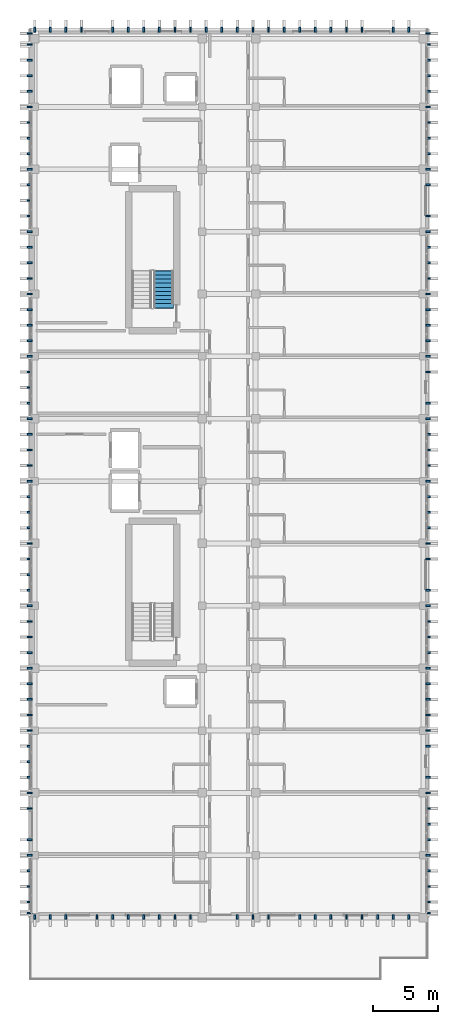
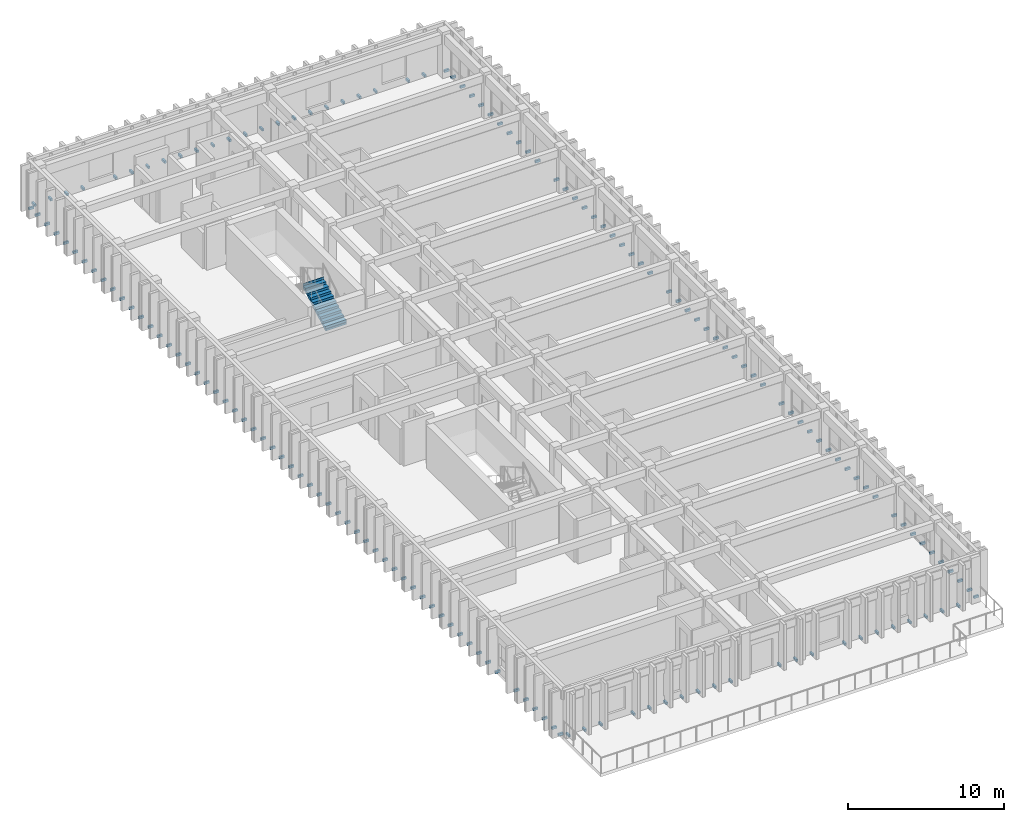
# One storey, part 44 of 49: 155 discrete accessories, 1 stair flight, 1 element without a shape of its own.
"""IFC4 building model written with IfcOpenShell, lengths in metres."""

import ifcopenshell
import ifcopenshell.guid

model = None  # the IFC model being written
_history = None  # IfcOwnerHistory: only IFC2X3 demands one
_inside = {}  # id of a spatial element -> (the spatial element, [elements in it])
_under = {}  # id of a project, library or spatial element -> (it, [spatial elements below it])
_declared = {}  # id of a project -> (the project, [libraries it declares])
_typed = {}  # id of a type object -> (the type object, [elements of that type])
_made_of = {}  # id of a material, layer set ... -> (it, [elements and type objects made of it])


def new_model(schema):
    """Start an empty IFC model of exactly this schema.

    Asked for "IFC4X3", IfcOpenShell would pick the latest addendum, in which some entities
    have other attributes; the version numbers below select the first issue.
    IFC2X3 requires an IfcOwnerHistory on every rooted entity: one is made here for all.
    """
    global model, _history
    if schema == "IFC4X3":
        model = ifcopenshell.file(schema_version=(4, 3, 0, 0))
    else:
        model = ifcopenshell.file(schema=schema)
    _inside.clear()
    _under.clear()
    _declared.clear()
    _typed.clear()
    _made_of.clear()
    _history = None
    if model.schema == "IFC2X3":
        org = make("IfcOrganization", Name="unknown")
        user = make(
            "IfcPersonAndOrganization",
            ThePerson=make("IfcPerson", FamilyName="unknown"),
            TheOrganization=org,
        )
        app = make(
            "IfcApplication",
            ApplicationDeveloper=org,
            Version="unknown",
            ApplicationFullName="unknown",
            ApplicationIdentifier="unknown",
        )
        _history = make(
            "IfcOwnerHistory",
            OwningUser=user,
            OwningApplication=app,
            ChangeAction="ADDED",
            CreationDate=0,
        )
    return model


def make(cls, **values):
    """One entity of the class cls with the attributes given. An attribute that is None is left unset."""
    return model.create_entity(
        cls, **{name: value for name, value in values.items() if value is not None}
    )


def rooted(cls, **values):
    """An entity with a GlobalId (a new one), such as an element, a storey or a relation."""
    return make(cls, GlobalId=ifcopenshell.guid.new(), OwnerHistory=_history, **values)


def si_unit(unit_type, name, prefix=None):
    """IfcSIUnit, for example si_unit("LENGTHUNIT", "METRE", prefix="MILLI")."""
    return make("IfcSIUnit", UnitType=unit_type, Prefix=prefix, Name=name)


def assignment(units):
    """IfcUnitAssignment: the units of a project."""
    return None if units is None else make("IfcUnitAssignment", Units=units)


def point(xyz):
    """IfcCartesianPoint."""
    return None if xyz is None else make("IfcCartesianPoint", Coordinates=xyz)


def direction(xyz):
    """IfcDirection."""
    return None if xyz is None else make("IfcDirection", DirectionRatios=xyz)


def frame(location, z_axis=None, x_axis=None):
    """IfcAxis2Placement3D, a coordinate frame: its origin and axes. An axis left out is left unset."""
    return make(
        "IfcAxis2Placement3D",
        Location=point(location),
        Axis=direction(z_axis),
        RefDirection=direction(x_axis),
    )


def frame_2d(location, x_axis=None):
    """IfcAxis2Placement2D, a coordinate frame in the plane: its origin and x axis."""
    return make(
        "IfcAxis2Placement2D", Location=point(location), RefDirection=direction(x_axis)
    )


def origin():
    """The frame at (0, 0, 0) with its axes left unset."""
    return frame((0.0, 0.0, 0.0))


def origin_2d():
    """The frame at (0, 0) in the plane with its x axis left unset."""
    return frame_2d((0.0, 0.0))


def place(relative_to, where):
    """IfcLocalPlacement: puts the frame where relative to a parent placement (None: the world)."""
    return make(
        "IfcLocalPlacement", PlacementRelTo=relative_to, RelativePlacement=where
    )


def context(
    kind, dimensions, precision=None, world=None, true_north=None, identifier=None
):
    """IfcGeometricRepresentationContext, for example the 3D "Model" context."""
    return make(
        "IfcGeometricRepresentationContext",
        ContextIdentifier=identifier,
        ContextType=kind,
        CoordinateSpaceDimension=dimensions,
        Precision=precision,
        WorldCoordinateSystem=world,
        TrueNorth=true_north,
    )


def subcontext(parent, identifier, kind, view, scale=None):
    """IfcGeometricRepresentationSubContext, for example "Body" below "Model"."""
    return make(
        "IfcGeometricRepresentationSubContext",
        ContextIdentifier=identifier,
        ContextType=kind,
        ParentContext=parent,
        TargetScale=scale,
        TargetView=view,
    )


def project(units=None, contexts=None):
    """IfcProject with its units and contexts."""
    return rooted(
        "IfcProject",
        Name="project",
        RepresentationContexts=contexts,
        UnitsInContext=assignment(units),
    )


def spatial(cls, under=None, at=None, **own):
    """A site, building, storey or space (cls), placed at a placement, below another one or the project."""
    s = rooted(cls, ObjectPlacement=at, **own)
    if under is not None:
        _under.setdefault(under.id(), (under, []))[1].append(s)
    return s


def polyline(points):
    """IfcPolyline through the points."""
    return make("IfcPolyline", Points=[point(p) for p in points])


def profile(cls, at=None, kind="AREA", **sizes):
    """A parametric profile (cls). Its sizes go by their IFC names, for example OverallWidth=200.0."""
    return make(cls, ProfileType=kind, Position=at, **sizes)


def rectangle(**sizes):
    """IfcRectangleProfileDef."""
    return profile("IfcRectangleProfileDef", **sizes)


def outline(outer, holes=None, kind="AREA"):
    """IfcArbitraryClosedProfileDef: a profile drawn as a closed curve; with holes, ...WithVoids."""
    if holes is None:
        return make("IfcArbitraryClosedProfileDef", ProfileType=kind, OuterCurve=outer)
    return make(
        "IfcArbitraryProfileDefWithVoids",
        ProfileType=kind,
        OuterCurve=outer,
        InnerCurves=holes,
    )


def extrude(swept, where, along, depth):
    """IfcExtrudedAreaSolid: the profile swept, set in the frame where, extruded along a direction by depth."""
    return make(
        "IfcExtrudedAreaSolid",
        SweptArea=swept,
        Position=where,
        ExtrudedDirection=direction(along),
        Depth=depth,
    )


def shape(context_of_items, identifier, shape_type, items):
    """IfcShapeRepresentation: the items that make up one representation, for example the "Body"."""
    return make(
        "IfcShapeRepresentation",
        ContextOfItems=context_of_items,
        RepresentationIdentifier=identifier,
        RepresentationType=shape_type,
        Items=items,
    )


def material(Name=None, Category=None):
    """IfcMaterial."""
    return make("IfcMaterial", Name=Name, Category=Category)


def layer(
    of_material, thickness, ventilated=None, Name=None, Category=None, Priority=None
):
    """IfcMaterialLayer: one layer of a wall or slab, of a material (None: an air gap)."""
    return make(
        "IfcMaterialLayer",
        Material=of_material,
        LayerThickness=thickness,
        IsVentilated=ventilated,
        Name=Name,
        Category=Category,
        Priority=Priority,
    )


def layer_set(layers, Name=None):
    """IfcMaterialLayerSet."""
    return make("IfcMaterialLayerSet", MaterialLayers=layers, LayerSetName=Name)


def made_of(thing, what):
    """Note that an element or type object is made of a material, layer set ...; save() writes the relation."""
    if what is not None:
        _made_of.setdefault(what.id(), (what, []))[1].append(thing)
    return thing


def type_object(cls, material=None, **own):
    """A type object (cls), such as IfcWallType, which elements share."""
    return made_of(rooted(cls, **own), material)


def element(
    cls,
    number,
    at=None,
    inside=None,
    cuts=None,
    type_object=None,
    material=None,
    context=None,
    identifier="Body",
    shape_type=None,
    held_by="IfcProductDefinitionShape",
    body=None,
    shapes=None,
    **own,
):
    """One element of the class cls, such as IfcWall. Its Tag is "e" and its number.

    at: its placement. inside: the storey or other place that contains it. cuts: it is an
    opening in that element (IfcRelVoidsElement). A single representation is given by context,
    identifier, shape_type and body (its items); several are given by shapes. held_by: the class
    of the entity that holds the representations. save() writes the other relations.
    """
    e = rooted(cls, Tag="e%d" % number, ObjectPlacement=at, **own)
    if body is not None:
        shapes = [shape(context, identifier, shape_type, body)]
    if shapes is not None:
        e.Representation = make(held_by, Representations=shapes)
    if inside is not None:
        _inside.setdefault(inside.id(), (inside, []))[1].append(e)
    if cuts is not None:
        rooted(
            "IfcRelVoidsElement", RelatingBuildingElement=cuts, RelatedOpeningElement=e
        )
    if type_object is not None:
        _typed.setdefault(type_object.id(), (type_object, []))[1].append(e)
    return made_of(e, material)


def aggregate(whole, parts):
    """IfcRelAggregates: a whole, such as a stair, and the parts it consists of."""
    return rooted("IfcRelAggregates", RelatingObject=whole, RelatedObjects=parts)


def save(model, path):
    """Write the relations noted so far, then the file.

    IfcRelAggregates (storeys below a building ...), IfcRelContainedInSpatialStructure (elements
    in a storey), IfcRelDefinesByType, IfcRelAssociatesMaterial and IfcRelDeclares: one each for
    every whole, place, type object, material and project.
    """
    for whole, parts in _under.values():
        aggregate(whole, parts)
    for where, things in _inside.values():
        rooted(
            "IfcRelContainedInSpatialStructure",
            RelatedElements=things,
            RelatingStructure=where,
        )
    for kind, things in _typed.values():
        rooted("IfcRelDefinesByType", RelatedObjects=things, RelatingType=kind)
    for what, things in _made_of.values():
        rooted("IfcRelAssociatesMaterial", RelatedObjects=things, RelatingMaterial=what)
    for by, libraries in _declared.values():
        rooted("IfcRelDeclares", RelatingContext=by, RelatedDefinitions=libraries)
    model.write(path)


model = new_model("IFC4")

# Units and contexts
model_context = context("Model", 3, precision=1e-05, world=origin(), true_north=direction((0.0, 1.0)))
body_context = subcontext(model_context, "Body", "Model", "MODEL_VIEW")
ifc_project = project(units=[si_unit("LENGTHUNIT", "METRE"), si_unit("AREAUNIT", "SQUARE_METRE"), si_unit("VOLUMEUNIT", "CUBIC_METRE"), si_unit("PLANEANGLEUNIT", "RADIAN"), si_unit("MASSUNIT", "GRAM", prefix="KILO")], contexts=[model_context])

# Site, building, storey
site_placement = place(None, origin())
site = spatial("IfcSite", under=ifc_project, at=site_placement, CompositionType="ELEMENT")
building_placement = place(site_placement, origin())
building = spatial("IfcBuilding", under=site, at=building_placement, Name="Nakhvara Creek Congress Hotel", CompositionType="ELEMENT")
storey_placement = place(building_placement, frame((0.0, 0.0, 39.0)))
storey = spatial("IfcBuildingStorey", under=building, at=storey_placement, Name="L09", CompositionType="ELEMENT", Elevation=39.0)

# Stair, stair flight
ifc_material_1 = material(Name="Concrete C40/50", Category="concrete")
stair_type = type_object("IfcStairType", Name="ST-CORE-160", PredefinedType="HALF_TURN_STAIR", material=ifc_material_1)
stair_placement = place(storey_placement, origin())
stair = element("IfcStair", 1, at=stair_placement, inside=storey, type_object=stair_type, Name="L09 Protected Exit Stair ST02", PredefinedType="HALF_TURN_STAIR")
ifc_layer = layer(ifc_material_1, 0.18994140625)
ifc_layer_set = layer_set([ifc_layer], Name="Concrete C40/50")
stair_flight_type = type_object("IfcStairFlightType", Name="SFL-RC-160", PredefinedType="STRAIGHT", material=ifc_layer_set)
stair_flight_placement = place(storey_placement, frame((159.3798828125, 104.5400390625, 0.0), z_axis=(0.0, 0.0, 1.0), x_axis=(0.0, 1.0, 0.0)))
stair_flight = element("IfcStairFlight", 2, at=stair_flight_placement, type_object=stair_flight_type, Name="ST02 flight 1", NumberOfRisers=10, NumberOfTreads=9, PredefinedType="STRAIGHT", RiserHeight=0.18, TreadLength=0.315, context=body_context, shape_type="SweptSolid", body=[
    extrude(outline(polyline([(-0.048095703125, 0.0), (0.0, 0.0), (0.0, 0.179931640625), (0.31494140625, 0.179931640625), (0.31494140625, 0.360107421875), (0.6298828125, 0.360107421875), (0.6298828125, 0.5400390625), (0.945068359375, 0.5400390625), (0.945068359375, 0.719970703125), (1.260009765625, 0.719970703125), (1.260009765625, 0.89990234375), (1.574951171875, 0.89990234375), (1.574951171875, 1.080078125), (1.889892578125, 1.080078125), (1.889892578125, 1.260009765625), (2.205078125, 1.260009765625), (2.205078125, 1.43994140625), (2.52001953125, 1.43994140625), (2.52001953125, 1.6201171875), (2.8349609375, 1.6201171875), (2.8349609375, 1.800048828125), (2.883056640625, 1.800048828125), (2.883056640625, 1.650146484375), (2.8349609375, 1.447265625), (0.039794921875, -0.14990234375), (-0.048095703125, -0.14990234375), (-0.048095703125, 0.0)])), frame((0.0, 0.77001953125, 0.0), z_axis=(0.0, -1.0, 0.0), x_axis=(1.0, 0.0, 0.0)), (0.0, 0.0, 1.0), 1.5400390625),
])
aggregate(stair, [stair_flight])

# Discrete accessories
ifc_material_2 = material(Name="Brushed stainless steel 316L", Category="steel")
discrete_accessory_type = type_object("IfcDiscreteAccessoryType", Name="ACC-BRK-SS316", PredefinedType="BRACKET", material=ifc_material_2)
for number, where, z_axis, x_axis, name in (
    (3, (179.72998046875, 57.949951171875, -0.10986328125), (0.0, 0.0, 1.0), (0.0, 1.0, 0.0), "Stainless Fin Bracket BK01-2002"),
    (4, (149.070068359375, 57.949951171875, -0.10986328125), (0.0, 0.0, 1.0), (0.0, 1.0, 0.0), "Stainless Fin Bracket BK01-2003"),
    (5, (179.72998046875, 58.800048828125, -0.10986328125), (0.0, 0.0, 1.0), (0.0, 1.0, 0.0), "Stainless Fin Bracket BK01-2004"),
    (6, (149.070068359375, 58.800048828125, -0.10986328125), (0.0, 0.0, 1.0), (0.0, 1.0, 0.0), "Stainless Fin Bracket BK01-2005"),
    (7, (179.72998046875, 60.0, -0.10986328125), (0.0, 0.0, 1.0), (0.0, 1.0, 0.0), "Stainless Fin Bracket BK01-2006"),
    (8, (149.070068359375, 60.0, -0.10986328125), (0.0, 0.0, 1.0), (0.0, 1.0, 0.0), "Stainless Fin Bracket BK01-2007"),
    (9, (179.72998046875, 61.199951171875, -0.10986328125), (0.0, 0.0, 1.0), (0.0, 1.0, 0.0), "Stainless Fin Bracket BK01-2008"),
    (10, (149.070068359375, 61.199951171875, -0.10986328125), (0.0, 0.0, 1.0), (0.0, 1.0, 0.0), "Stainless Fin Bracket BK01-2009"),
    (11, (179.72998046875, 62.39990234375, -0.10986328125), (0.0, 0.0, 1.0), (0.0, 1.0, 0.0), "Stainless Fin Bracket BK01-2010"),
    (12, (149.070068359375, 62.39990234375, -0.10986328125), (0.0, 0.0, 1.0), (0.0, 1.0, 0.0), "Stainless Fin Bracket BK01-2011"),
    (13, (179.72998046875, 63.60009765625, -0.10986328125), (0.0, 0.0, 1.0), (0.0, 1.0, 0.0), "Stainless Fin Bracket BK01-2012"),
    (14, (149.070068359375, 63.60009765625, -0.10986328125), (0.0, 0.0, 1.0), (0.0, 1.0, 0.0), "Stainless Fin Bracket BK01-2013"),
    (15, (179.72998046875, 64.800048828125, -0.10986328125), (0.0, 0.0, 1.0), (0.0, 1.0, 0.0), "Stainless Fin Bracket BK01-2014"),
    (16, (179.72998046875, 66.0, -0.10986328125), (0.0, 0.0, 1.0), (0.0, 1.0, 0.0), "Stainless Fin Bracket BK01-2015"),
    (17, (149.070068359375, 66.0, -0.10986328125), (0.0, 0.0, 1.0), (0.0, 1.0, 0.0), "Stainless Fin Bracket BK01-2016"),
    (18, (179.72998046875, 67.199951171875, -0.10986328125), (0.0, 0.0, 1.0), (0.0, 1.0, 0.0), "Stainless Fin Bracket BK01-2017"),
    (19, (149.070068359375, 67.199951171875, -0.10986328125), (0.0, 0.0, 1.0), (0.0, 1.0, 0.0), "Stainless Fin Bracket BK01-2018"),
    (20, (179.72998046875, 68.39990234375, -0.10986328125), (0.0, 0.0, 1.0), (0.0, 1.0, 0.0), "Stainless Fin Bracket BK01-2019"),
    (21, (149.070068359375, 68.39990234375, -0.10986328125), (0.0, 0.0, 1.0), (0.0, 1.0, 0.0), "Stainless Fin Bracket BK01-2020"),
    (22, (149.070068359375, 69.60009765625, -0.10986328125), (0.0, 0.0, 1.0), (0.0, 1.0, 0.0), "Stainless Fin Bracket BK01-2021"),
    (23, (179.72998046875, 70.800048828125, -0.10986328125), (0.0, 0.0, 1.0), (0.0, 1.0, 0.0), "Stainless Fin Bracket BK01-2022"),
    (24, (149.070068359375, 70.800048828125, -0.10986328125), (0.0, 0.0, 1.0), (0.0, 1.0, 0.0), "Stainless Fin Bracket BK01-2023"),
    (25, (179.72998046875, 72.0, -0.10986328125), (0.0, 0.0, 1.0), (0.0, 1.0, 0.0), "Stainless Fin Bracket BK01-2024"),
    (26, (149.070068359375, 72.0, -0.10986328125), (0.0, 0.0, 1.0), (0.0, 1.0, 0.0), "Stainless Fin Bracket BK01-2025"),
    (27, (179.72998046875, 73.199951171875, -0.10986328125), (0.0, 0.0, 1.0), (0.0, 1.0, 0.0), "Stainless Fin Bracket BK01-2026"),
    (28, (149.070068359375, 73.199951171875, -0.10986328125), (0.0, 0.0, 1.0), (0.0, 1.0, 0.0), "Stainless Fin Bracket BK01-2027"),
    (29, (179.72998046875, 74.39990234375, -0.10986328125), (0.0, 0.0, 1.0), (0.0, 1.0, 0.0), "Stainless Fin Bracket BK01-2028"),
    (30, (149.070068359375, 74.39990234375, -0.10986328125), (0.0, 0.0, 1.0), (0.0, 1.0, 0.0), "Stainless Fin Bracket BK01-2029"),
    (31, (179.72998046875, 75.60009765625, -0.10986328125), (0.0, 0.0, 1.0), (0.0, 1.0, 0.0), "Stainless Fin Bracket BK01-2030"),
    (32, (149.070068359375, 75.60009765625, -0.10986328125), (0.0, 0.0, 1.0), (0.0, 1.0, 0.0), "Stainless Fin Bracket BK01-2031"),
    (33, (179.72998046875, 76.800048828125, -0.10986328125), (0.0, 0.0, 1.0), (0.0, 1.0, 0.0), "Stainless Fin Bracket BK01-2032"),
    (34, (149.070068359375, 76.800048828125, -0.10986328125), (0.0, 0.0, 1.0), (0.0, 1.0, 0.0), "Stainless Fin Bracket BK01-2033"),
    (35, (179.72998046875, 78.0, -0.10986328125), (0.0, 0.0, 1.0), (0.0, 1.0, 0.0), "Stainless Fin Bracket BK01-2034"),
    (36, (149.070068359375, 78.0, -0.10986328125), (0.0, 0.0, 1.0), (0.0, 1.0, 0.0), "Stainless Fin Bracket BK01-2035"),
    (37, (179.72998046875, 79.199951171875, -0.10986328125), (0.0, 0.0, 1.0), (0.0, 1.0, 0.0), "Stainless Fin Bracket BK01-2036"),
    (38, (149.070068359375, 79.199951171875, -0.10986328125), (0.0, 0.0, 1.0), (0.0, 1.0, 0.0), "Stainless Fin Bracket BK01-2037"),
    (39, (179.72998046875, 80.39990234375, -0.10986328125), (0.0, 0.0, 1.0), (0.0, 1.0, 0.0), "Stainless Fin Bracket BK01-2038"),
    (40, (149.070068359375, 80.39990234375, -0.10986328125), (0.0, 0.0, 1.0), (0.0, 1.0, 0.0), "Stainless Fin Bracket BK01-2039"),
    (41, (179.72998046875, 81.60009765625, -0.10986328125), (0.0, 0.0, 1.0), (0.0, 1.0, 0.0), "Stainless Fin Bracket BK01-2040"),
    (42, (149.070068359375, 81.60009765625, -0.10986328125), (0.0, 0.0, 1.0), (0.0, 1.0, 0.0), "Stainless Fin Bracket BK01-2041"),
    (43, (179.72998046875, 82.800048828125, -0.10986328125), (0.0, 0.0, 1.0), (0.0, 1.0, 0.0), "Stainless Fin Bracket BK01-2042"),
    (44, (149.070068359375, 82.800048828125, -0.10986328125), (0.0, 0.0, 1.0), (0.0, 1.0, 0.0), "Stainless Fin Bracket BK01-2043"),
    (45, (149.070068359375, 84.0, -0.10986328125), (0.0, 0.0, 1.0), (0.0, 1.0, 0.0), "Stainless Fin Bracket BK01-2044"),
    (46, (179.72998046875, 85.199951171875, -0.10986328125), (0.0, 0.0, 1.0), (0.0, 1.0, 0.0), "Stainless Fin Bracket BK01-2045"),
    (47, (149.070068359375, 85.199951171875, -0.10986328125), (0.0, 0.0, 1.0), (0.0, 1.0, 0.0), "Stainless Fin Bracket BK01-2046"),
    (48, (179.72998046875, 86.39990234375, -0.10986328125), (0.0, 0.0, 1.0), (0.0, 1.0, 0.0), "Stainless Fin Bracket BK01-2047"),
    (49, (149.070068359375, 86.39990234375, -0.10986328125), (0.0, 0.0, 1.0), (0.0, 1.0, 0.0), "Stainless Fin Bracket BK01-2048"),
    (50, (179.72998046875, 87.60009765625, -0.10986328125), (0.0, 0.0, 1.0), (0.0, 1.0, 0.0), "Stainless Fin Bracket BK01-2049"),
    (51, (149.070068359375, 87.60009765625, -0.10986328125), (0.0, 0.0, 1.0), (0.0, 1.0, 0.0), "Stainless Fin Bracket BK01-2050"),
    (52, (179.72998046875, 88.800048828125, -0.10986328125), (0.0, 0.0, 1.0), (0.0, 1.0, 0.0), "Stainless Fin Bracket BK01-2051"),
    (53, (149.070068359375, 88.800048828125, -0.10986328125), (0.0, 0.0, 1.0), (0.0, 1.0, 0.0), "Stainless Fin Bracket BK01-2052"),
    (54, (179.72998046875, 90.0, -0.10986328125), (0.0, 0.0, 1.0), (0.0, 1.0, 0.0), "Stainless Fin Bracket BK01-2053"),
    (55, (149.070068359375, 90.0, -0.10986328125), (0.0, 0.0, 1.0), (0.0, 1.0, 0.0), "Stainless Fin Bracket BK01-2054"),
    (56, (179.72998046875, 91.199951171875, -0.10986328125), (0.0, 0.0, 1.0), (0.0, 1.0, 0.0), "Stainless Fin Bracket BK01-2055"),
    (57, (149.070068359375, 91.199951171875, -0.10986328125), (0.0, 0.0, 1.0), (0.0, 1.0, 0.0), "Stainless Fin Bracket BK01-2056"),
    (58, (179.72998046875, 92.39990234375, -0.10986328125), (0.0, 0.0, 1.0), (0.0, 1.0, 0.0), "Stainless Fin Bracket BK01-2057"),
    (59, (149.070068359375, 92.39990234375, -0.10986328125), (0.0, 0.0, 1.0), (0.0, 1.0, 0.0), "Stainless Fin Bracket BK01-2058"),
    (60, (179.72998046875, 93.60009765625, -0.10986328125), (0.0, 0.0, 1.0), (0.0, 1.0, 0.0), "Stainless Fin Bracket BK01-2059"),
    (61, (149.070068359375, 93.60009765625, -0.10986328125), (0.0, 0.0, 1.0), (0.0, 1.0, 0.0), "Stainless Fin Bracket BK01-2060"),
    (62, (179.72998046875, 94.800048828125, -0.10986328125), (0.0, 0.0, 1.0), (0.0, 1.0, 0.0), "Stainless Fin Bracket BK01-2061"),
    (63, (149.070068359375, 94.800048828125, -0.10986328125), (0.0, 0.0, 1.0), (0.0, 1.0, 0.0), "Stainless Fin Bracket BK01-2062"),
    (64, (179.72998046875, 96.0, -0.10986328125), (0.0, 0.0, 1.0), (0.0, 1.0, 0.0), "Stainless Fin Bracket BK01-2063"),
    (65, (149.070068359375, 96.0, -0.10986328125), (0.0, 0.0, 1.0), (0.0, 1.0, 0.0), "Stainless Fin Bracket BK01-2064"),
    (66, (179.72998046875, 97.199951171875, -0.10986328125), (0.0, 0.0, 1.0), (0.0, 1.0, 0.0), "Stainless Fin Bracket BK01-2065"),
    (67, (149.070068359375, 97.199951171875, -0.10986328125), (0.0, 0.0, 1.0), (0.0, 1.0, 0.0), "Stainless Fin Bracket BK01-2066"),
    (68, (149.070068359375, 98.39990234375, -0.10986328125), (0.0, 0.0, 1.0), (0.0, 1.0, 0.0), "Stainless Fin Bracket BK01-2067"),
    (69, (179.72998046875, 99.60009765625, -0.10986328125), (0.0, 0.0, 1.0), (0.0, 1.0, 0.0), "Stainless Fin Bracket BK01-2068"),
    (70, (149.070068359375, 99.60009765625, -0.10986328125), (0.0, 0.0, 1.0), (0.0, 1.0, 0.0), "Stainless Fin Bracket BK01-2069"),
    (71, (179.72998046875, 100.800048828125, -0.10986328125), (0.0, 0.0, 1.0), (0.0, 1.0, 0.0), "Stainless Fin Bracket BK01-2070"),
    (72, (149.070068359375, 100.800048828125, -0.10986328125), (0.0, 0.0, 1.0), (0.0, 1.0, 0.0), "Stainless Fin Bracket BK01-2071"),
    (73, (179.72998046875, 102.0, -0.10986328125), (0.0, 0.0, 1.0), (0.0, 1.0, 0.0), "Stainless Fin Bracket BK01-2072"),
    (74, (149.070068359375, 102.0, -0.10986328125), (0.0, 0.0, 1.0), (0.0, 1.0, 0.0), "Stainless Fin Bracket BK01-2073"),
    (75, (179.72998046875, 103.199951171875, -0.10986328125), (0.0, 0.0, 1.0), (0.0, 1.0, 0.0), "Stainless Fin Bracket BK01-2074"),
    (76, (149.070068359375, 103.199951171875, -0.10986328125), (0.0, 0.0, 1.0), (0.0, 1.0, 0.0), "Stainless Fin Bracket BK01-2075"),
    (77, (179.72998046875, 104.39990234375, -0.10986328125), (0.0, 0.0, 1.0), (0.0, 1.0, 0.0), "Stainless Fin Bracket BK01-2076"),
    (78, (149.070068359375, 104.39990234375, -0.10986328125), (0.0, 0.0, 1.0), (0.0, 1.0, 0.0), "Stainless Fin Bracket BK01-2077"),
    (79, (179.72998046875, 105.60009765625, -0.10986328125), (0.0, 0.0, 1.0), (0.0, 1.0, 0.0), "Stainless Fin Bracket BK01-2078"),
    (80, (149.070068359375, 105.60009765625, -0.10986328125), (0.0, 0.0, 1.0), (0.0, 1.0, 0.0), "Stainless Fin Bracket BK01-2079"),
    (81, (179.72998046875, 106.800048828125, -0.10986328125), (0.0, 0.0, 1.0), (0.0, 1.0, 0.0), "Stainless Fin Bracket BK01-2080"),
    (82, (149.070068359375, 106.800048828125, -0.10986328125), (0.0, 0.0, 1.0), (0.0, 1.0, 0.0), "Stainless Fin Bracket BK01-2081"),
    (83, (179.72998046875, 108.0, -0.10986328125), (0.0, 0.0, 1.0), (0.0, 1.0, 0.0), "Stainless Fin Bracket BK01-2082"),
    (84, (149.070068359375, 108.0, -0.10986328125), (0.0, 0.0, 1.0), (0.0, 1.0, 0.0), "Stainless Fin Bracket BK01-2083"),
    (85, (179.72998046875, 109.199951171875, -0.10986328125), (0.0, 0.0, 1.0), (0.0, 1.0, 0.0), "Stainless Fin Bracket BK01-2084"),
    (86, (149.070068359375, 109.199951171875, -0.10986328125), (0.0, 0.0, 1.0), (0.0, 1.0, 0.0), "Stainless Fin Bracket BK01-2085"),
    (87, (179.72998046875, 110.39990234375, -0.10986328125), (0.0, 0.0, 1.0), (0.0, 1.0, 0.0), "Stainless Fin Bracket BK01-2086"),
    (88, (149.070068359375, 110.39990234375, -0.10986328125), (0.0, 0.0, 1.0), (0.0, 1.0, 0.0), "Stainless Fin Bracket BK01-2087"),
    (89, (179.72998046875, 111.60009765625, -0.10986328125), (0.0, 0.0, 1.0), (0.0, 1.0, 0.0), "Stainless Fin Bracket BK01-2088"),
    (90, (149.070068359375, 111.60009765625, -0.10986328125), (0.0, 0.0, 1.0), (0.0, 1.0, 0.0), "Stainless Fin Bracket BK01-2089"),
    (91, (149.070068359375, 112.800048828125, -0.10986328125), (0.0, 0.0, 1.0), (0.0, 1.0, 0.0), "Stainless Fin Bracket BK01-2090"),
    (92, (179.72998046875, 114.0, -0.10986328125), (0.0, 0.0, 1.0), (0.0, 1.0, 0.0), "Stainless Fin Bracket BK01-2091"),
    (93, (149.070068359375, 114.0, -0.10986328125), (0.0, 0.0, 1.0), (0.0, 1.0, 0.0), "Stainless Fin Bracket BK01-2092"),
    (94, (179.72998046875, 115.199951171875, -0.10986328125), (0.0, 0.0, 1.0), (0.0, 1.0, 0.0), "Stainless Fin Bracket BK01-2093"),
    (95, (149.070068359375, 115.199951171875, -0.10986328125), (0.0, 0.0, 1.0), (0.0, 1.0, 0.0), "Stainless Fin Bracket BK01-2094"),
    (96, (179.72998046875, 116.39990234375, -0.10986328125), (0.0, 0.0, 1.0), (0.0, 1.0, 0.0), "Stainless Fin Bracket BK01-2095"),
    (97, (149.070068359375, 116.39990234375, -0.10986328125), (0.0, 0.0, 1.0), (0.0, 1.0, 0.0), "Stainless Fin Bracket BK01-2096"),
    (98, (179.72998046875, 117.60009765625, -0.10986328125), (0.0, 0.0, 1.0), (0.0, 1.0, 0.0), "Stainless Fin Bracket BK01-2097"),
    (99, (149.070068359375, 117.60009765625, -0.10986328125), (0.0, 0.0, 1.0), (0.0, 1.0, 0.0), "Stainless Fin Bracket BK01-2098"),
    (100, (179.72998046875, 118.800048828125, -0.10986328125), (0.0, 0.0, 1.0), (0.0, 1.0, 0.0), "Stainless Fin Bracket BK01-2099"),
    (101, (149.070068359375, 118.800048828125, -0.10986328125), (0.0, 0.0, 1.0), (0.0, 1.0, 0.0), "Stainless Fin Bracket BK01-2100"),
    (102, (179.72998046875, 120.0, -0.10986328125), (0.0, 0.0, 1.0), (0.0, 1.0, 0.0), "Stainless Fin Bracket BK01-2101"),
    (103, (149.070068359375, 120.0, -0.10986328125), (0.0, 0.0, 1.0), (0.0, 1.0, 0.0), "Stainless Fin Bracket BK01-2102"),
    (104, (179.72998046875, 121.199951171875, -0.10986328125), (0.0, 0.0, 1.0), (0.0, 1.0, 0.0), "Stainless Fin Bracket BK01-2103"),
    (105, (149.070068359375, 121.199951171875, -0.10986328125), (0.0, 0.0, 1.0), (0.0, 1.0, 0.0), "Stainless Fin Bracket BK01-2104"),
    (106, (179.72998046875, 122.39990234375, -0.10986328125), (0.0, 0.0, 1.0), (0.0, 1.0, 0.0), "Stainless Fin Bracket BK01-2105"),
    (107, (149.070068359375, 122.39990234375, -0.10986328125), (0.0, 0.0, 1.0), (0.0, 1.0, 0.0), "Stainless Fin Bracket BK01-2106"),
    (108, (179.72998046875, 123.60009765625, -0.10986328125), (0.0, 0.0, 1.0), (0.0, 1.0, 0.0), "Stainless Fin Bracket BK01-2107"),
    (109, (149.070068359375, 123.60009765625, -0.10986328125), (0.0, 0.0, 1.0), (0.0, 1.0, 0.0), "Stainless Fin Bracket BK01-2108"),
    (110, (179.72998046875, 124.800048828125, -0.10986328125), (0.0, 0.0, 1.0), (0.0, 1.0, 0.0), "Stainless Fin Bracket BK01-2109"),
    (111, (149.070068359375, 124.800048828125, -0.10986328125), (0.0, 0.0, 1.0), (0.0, 1.0, 0.0), "Stainless Fin Bracket BK01-2110"),
    (112, (179.72998046875, 125.64990234375, -0.10986328125), (0.0, 0.0, 1.0), (0.0, 1.0, 0.0), "Stainless Fin Bracket BK01-2111"),
    (113, (149.070068359375, 125.64990234375, -0.10986328125), (0.0, 0.0, 1.0), (0.0, 1.0, 0.0), "Stainless Fin Bracket BK01-2112"),
    (114, (149.449951171875, 125.93994140625, -0.10986328125), (0.0, 0.0, 1.0), (1.0, 0.0, 0.0), "Stainless Fin Bracket BK01-2113"),
    (115, (149.449951171875, 57.659912109375, -0.10986328125), (0.0, 0.0, 1.0), (1.0, 0.0, 0.0), "Stainless Fin Bracket BK01-2114"),
    (116, (150.64990234375, 125.93994140625, -0.10986328125), (0.0, 0.0, 1.0), (1.0, 0.0, 0.0), "Stainless Fin Bracket BK01-2115"),
    (117, (150.64990234375, 57.659912109375, -0.10986328125), (0.0, 0.0, 1.0), (1.0, 0.0, 0.0), "Stainless Fin Bracket BK01-2116"),
    (118, (151.85009765625, 125.93994140625, -0.10986328125), (0.0, 0.0, 1.0), (1.0, 0.0, 0.0), "Stainless Fin Bracket BK01-2117"),
    (119, (151.85009765625, 57.659912109375, -0.10986328125), (0.0, 0.0, 1.0), (1.0, 0.0, 0.0), "Stainless Fin Bracket BK01-2118"),
    (120, (153.050048828125, 125.93994140625, -0.10986328125), (0.0, 0.0, 1.0), (1.0, 0.0, 0.0), "Stainless Fin Bracket BK01-2119"),
    (121, (154.25, 57.659912109375, -0.10986328125), (0.0, 0.0, 1.0), (1.0, 0.0, 0.0), "Stainless Fin Bracket BK01-2120"),
    (122, (155.449951171875, 125.93994140625, -0.10986328125), (0.0, 0.0, 1.0), (1.0, 0.0, 0.0), "Stainless Fin Bracket BK01-2121"),
    (123, (155.449951171875, 57.659912109375, -0.10986328125), (0.0, 0.0, 1.0), (1.0, 0.0, 0.0), "Stainless Fin Bracket BK01-2122"),
    (124, (156.64990234375, 125.93994140625, -0.10986328125), (0.0, 0.0, 1.0), (1.0, 0.0, 0.0), "Stainless Fin Bracket BK01-2123"),
    (125, (156.64990234375, 57.659912109375, -0.10986328125), (0.0, 0.0, 1.0), (1.0, 0.0, 0.0), "Stainless Fin Bracket BK01-2124"),
    (126, (157.85009765625, 125.93994140625, -0.10986328125), (0.0, 0.0, 1.0), (1.0, 0.0, 0.0), "Stainless Fin Bracket BK01-2125"),
    (127, (157.85009765625, 57.659912109375, -0.10986328125), (0.0, 0.0, 1.0), (1.0, 0.0, 0.0), "Stainless Fin Bracket BK01-2126"),
    (128, (159.050048828125, 125.93994140625, -0.10986328125), (0.0, 0.0, 1.0), (1.0, 0.0, 0.0), "Stainless Fin Bracket BK01-2127"),
    (129, (159.050048828125, 57.659912109375, -0.10986328125), (0.0, 0.0, 1.0), (1.0, 0.0, 0.0), "Stainless Fin Bracket BK01-2128"),
    (130, (160.25, 125.93994140625, -0.10986328125), (0.0, 0.0, 1.0), (1.0, 0.0, 0.0), "Stainless Fin Bracket BK01-2129"),
    (131, (160.25, 57.659912109375, -0.10986328125), (0.0, 0.0, 1.0), (1.0, 0.0, 0.0), "Stainless Fin Bracket BK01-2130"),
    (132, (161.449951171875, 125.93994140625, -0.10986328125), (0.0, 0.0, 1.0), (1.0, 0.0, 0.0), "Stainless Fin Bracket BK01-2131"),
    (133, (161.449951171875, 57.659912109375, -0.10986328125), (0.0, 0.0, 1.0), (1.0, 0.0, 0.0), "Stainless Fin Bracket BK01-2132"),
    (134, (162.64990234375, 125.93994140625, -0.10986328125), (0.0, 0.0, 1.0), (1.0, 0.0, 0.0), "Stainless Fin Bracket BK01-2133"),
    (135, (163.85009765625, 125.93994140625, -0.10986328125), (0.0, 0.0, 1.0), (1.0, 0.0, 0.0), "Stainless Fin Bracket BK01-2134"),
    (136, (165.050048828125, 125.93994140625, -0.10986328125), (0.0, 0.0, 1.0), (1.0, 0.0, 0.0), "Stainless Fin Bracket BK01-2135"),
    (137, (165.050048828125, 57.659912109375, -0.10986328125), (0.0, 0.0, 1.0), (1.0, 0.0, 0.0), "Stainless Fin Bracket BK01-2136"),
    (138, (166.25, 125.93994140625, -0.10986328125), (0.0, 0.0, 1.0), (1.0, 0.0, 0.0), "Stainless Fin Bracket BK01-2137"),
    (139, (166.25, 57.659912109375, -0.10986328125), (0.0, 0.0, 1.0), (1.0, 0.0, 0.0), "Stainless Fin Bracket BK01-2138"),
    (140, (167.449951171875, 125.93994140625, -0.10986328125), (0.0, 0.0, 1.0), (1.0, 0.0, 0.0), "Stainless Fin Bracket BK01-2139"),
    (141, (167.449951171875, 57.659912109375, -0.10986328125), (0.0, 0.0, 1.0), (1.0, 0.0, 0.0), "Stainless Fin Bracket BK01-2140"),
    (142, (168.64990234375, 125.93994140625, -0.10986328125), (0.0, 0.0, 1.0), (1.0, 0.0, 0.0), "Stainless Fin Bracket BK01-2141"),
    (143, (169.85009765625, 125.93994140625, -0.10986328125), (0.0, 0.0, 1.0), (1.0, 0.0, 0.0), "Stainless Fin Bracket BK01-2142"),
    (144, (169.85009765625, 57.659912109375, -0.10986328125), (0.0, 0.0, 1.0), (1.0, 0.0, 0.0), "Stainless Fin Bracket BK01-2143"),
    (145, (171.050048828125, 125.93994140625, -0.10986328125), (0.0, 0.0, 1.0), (1.0, 0.0, 0.0), "Stainless Fin Bracket BK01-2144"),
    (146, (171.050048828125, 57.659912109375, -0.10986328125), (0.0, 0.0, 1.0), (1.0, 0.0, 0.0), "Stainless Fin Bracket BK01-2145"),
    (147, (172.25, 125.93994140625, -0.10986328125), (0.0, 0.0, 1.0), (1.0, 0.0, 0.0), "Stainless Fin Bracket BK01-2146"),
    (148, (172.25, 57.659912109375, -0.10986328125), (0.0, 0.0, 1.0), (1.0, 0.0, 0.0), "Stainless Fin Bracket BK01-2147"),
    (149, (173.449951171875, 125.93994140625, -0.10986328125), (0.0, 0.0, 1.0), (1.0, 0.0, 0.0), "Stainless Fin Bracket BK01-2148"),
    (150, (173.449951171875, 57.659912109375, -0.10986328125), (0.0, 0.0, 1.0), (1.0, 0.0, 0.0), "Stainless Fin Bracket BK01-2149"),
    (151, (174.64990234375, 125.93994140625, -0.10986328125), (0.0, 0.0, 1.0), (1.0, 0.0, 0.0), "Stainless Fin Bracket BK01-2150"),
    (152, (174.64990234375, 57.659912109375, -0.10986328125), (0.0, 0.0, 1.0), (1.0, 0.0, 0.0), "Stainless Fin Bracket BK01-2151"),
    (153, (175.85009765625, 57.659912109375, -0.10986328125), (0.0, 0.0, 1.0), (1.0, 0.0, 0.0), "Stainless Fin Bracket BK01-2152"),
    (154, (177.050048828125, 125.93994140625, -0.10986328125), (0.0, 0.0, 1.0), (1.0, 0.0, 0.0), "Stainless Fin Bracket BK01-2153"),
    (155, (177.050048828125, 57.659912109375, -0.10986328125), (0.0, 0.0, 1.0), (1.0, 0.0, 0.0), "Stainless Fin Bracket BK01-2154"),
    (156, (178.25, 125.93994140625, -0.10986328125), (0.0, 0.0, 1.0), (1.0, 0.0, 0.0), "Stainless Fin Bracket BK01-2155"),
    (157, (178.25, 57.659912109375, -0.10986328125), (0.0, 0.0, 1.0), (1.0, 0.0, 0.0), "Stainless Fin Bracket BK01-2156"),
):
    element("IfcDiscreteAccessory", number, at=place(storey_placement, frame(where, z_axis=z_axis, x_axis=x_axis)), inside=storey, type_object=discrete_accessory_type, Name=name, PredefinedType="BRACKET", context=body_context, shape_type="SweptSolid", body=[
        extrude(rectangle(XDim=0.139892578125, YDim=0.360107421875, at=origin_2d()), origin(), (0.0, 0.0, 1.0), 0.179931640625),
    ])

save(model, "model.ifc")
